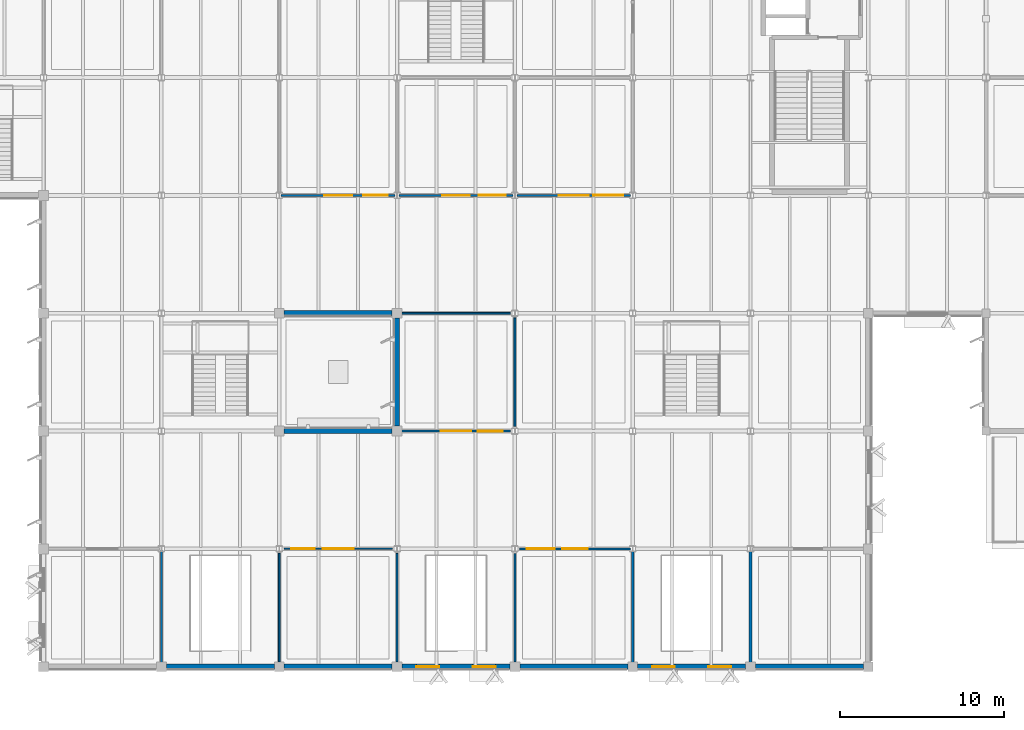
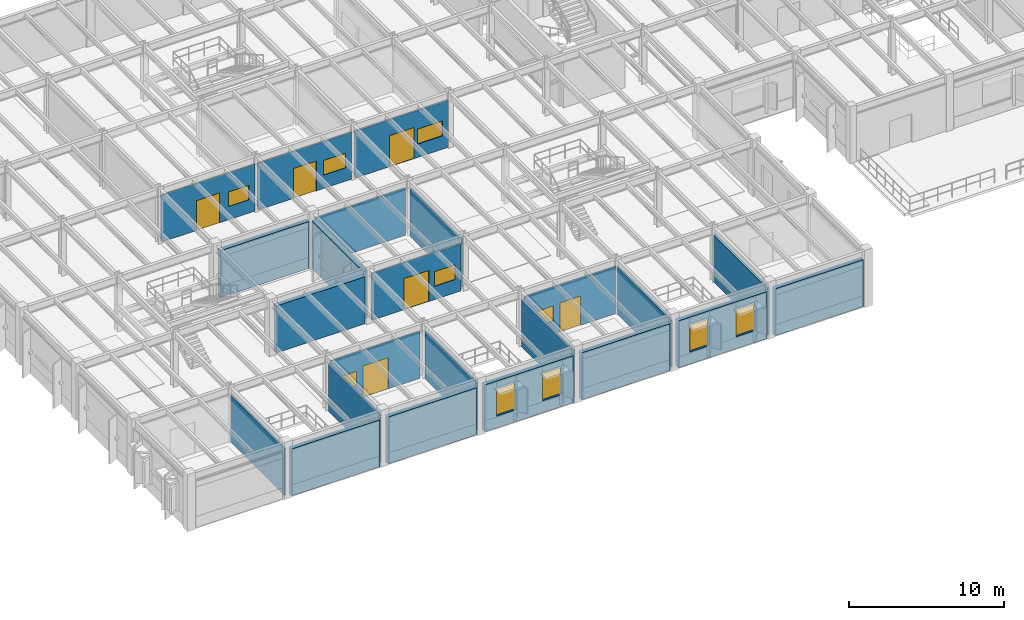
# One storey, part 35 of 92: 23 walls, 10 windows, 6 doors, 16 openings.
"""IFC4 building model written with IfcOpenShell, lengths in metres."""

import ifcopenshell
import ifcopenshell.guid

model = None  # the IFC model being written
_history = None  # IfcOwnerHistory: only IFC2X3 demands one
_inside = {}  # id of a spatial element -> (the spatial element, [elements in it])
_under = {}  # id of a project, library or spatial element -> (it, [spatial elements below it])
_declared = {}  # id of a project -> (the project, [libraries it declares])
_typed = {}  # id of a type object -> (the type object, [elements of that type])
_made_of = {}  # id of a material, layer set ... -> (it, [elements and type objects made of it])


def new_model(schema):
    """Start an empty IFC model of exactly this schema.

    Asked for "IFC4X3", IfcOpenShell would pick the latest addendum, in which some entities
    have other attributes; the version numbers below select the first issue.
    IFC2X3 requires an IfcOwnerHistory on every rooted entity: one is made here for all.
    """
    global model, _history
    if schema == "IFC4X3":
        model = ifcopenshell.file(schema_version=(4, 3, 0, 0))
    else:
        model = ifcopenshell.file(schema=schema)
    _inside.clear()
    _under.clear()
    _declared.clear()
    _typed.clear()
    _made_of.clear()
    _history = None
    if model.schema == "IFC2X3":
        org = make("IfcOrganization", Name="unknown")
        user = make(
            "IfcPersonAndOrganization",
            ThePerson=make("IfcPerson", FamilyName="unknown"),
            TheOrganization=org,
        )
        app = make(
            "IfcApplication",
            ApplicationDeveloper=org,
            Version="unknown",
            ApplicationFullName="unknown",
            ApplicationIdentifier="unknown",
        )
        _history = make(
            "IfcOwnerHistory",
            OwningUser=user,
            OwningApplication=app,
            ChangeAction="ADDED",
            CreationDate=0,
        )
    return model


def make(cls, **values):
    """One entity of the class cls with the attributes given. An attribute that is None is left unset."""
    return model.create_entity(
        cls, **{name: value for name, value in values.items() if value is not None}
    )


def rooted(cls, **values):
    """An entity with a GlobalId (a new one), such as an element, a storey or a relation."""
    return make(cls, GlobalId=ifcopenshell.guid.new(), OwnerHistory=_history, **values)


def si_unit(unit_type, name, prefix=None):
    """IfcSIUnit, for example si_unit("LENGTHUNIT", "METRE", prefix="MILLI")."""
    return make("IfcSIUnit", UnitType=unit_type, Prefix=prefix, Name=name)


def assignment(units):
    """IfcUnitAssignment: the units of a project."""
    return None if units is None else make("IfcUnitAssignment", Units=units)


def point(xyz):
    """IfcCartesianPoint."""
    return None if xyz is None else make("IfcCartesianPoint", Coordinates=xyz)


def direction(xyz):
    """IfcDirection."""
    return None if xyz is None else make("IfcDirection", DirectionRatios=xyz)


def frame(location, z_axis=None, x_axis=None):
    """IfcAxis2Placement3D, a coordinate frame: its origin and axes. An axis left out is left unset."""
    return make(
        "IfcAxis2Placement3D",
        Location=point(location),
        Axis=direction(z_axis),
        RefDirection=direction(x_axis),
    )


def frame_2d(location, x_axis=None):
    """IfcAxis2Placement2D, a coordinate frame in the plane: its origin and x axis."""
    return make(
        "IfcAxis2Placement2D", Location=point(location), RefDirection=direction(x_axis)
    )


def origin():
    """The frame at (0, 0, 0) with its axes left unset."""
    return frame((0.0, 0.0, 0.0))


def place(relative_to, where):
    """IfcLocalPlacement: puts the frame where relative to a parent placement (None: the world)."""
    return make(
        "IfcLocalPlacement", PlacementRelTo=relative_to, RelativePlacement=where
    )


def context(
    kind, dimensions, precision=None, world=None, true_north=None, identifier=None
):
    """IfcGeometricRepresentationContext, for example the 3D "Model" context."""
    return make(
        "IfcGeometricRepresentationContext",
        ContextIdentifier=identifier,
        ContextType=kind,
        CoordinateSpaceDimension=dimensions,
        Precision=precision,
        WorldCoordinateSystem=world,
        TrueNorth=true_north,
    )


def subcontext(parent, identifier, kind, view, scale=None):
    """IfcGeometricRepresentationSubContext, for example "Body" below "Model"."""
    return make(
        "IfcGeometricRepresentationSubContext",
        ContextIdentifier=identifier,
        ContextType=kind,
        ParentContext=parent,
        TargetScale=scale,
        TargetView=view,
    )


def project(units=None, contexts=None):
    """IfcProject with its units and contexts."""
    return rooted(
        "IfcProject",
        Name="project",
        RepresentationContexts=contexts,
        UnitsInContext=assignment(units),
    )


def spatial(cls, under=None, at=None, **own):
    """A site, building, storey or space (cls), placed at a placement, below another one or the project."""
    s = rooted(cls, ObjectPlacement=at, **own)
    if under is not None:
        _under.setdefault(under.id(), (under, []))[1].append(s)
    return s


def profile(cls, at=None, kind="AREA", **sizes):
    """A parametric profile (cls). Its sizes go by their IFC names, for example OverallWidth=200.0."""
    return make(cls, ProfileType=kind, Position=at, **sizes)


def rectangle(**sizes):
    """IfcRectangleProfileDef."""
    return profile("IfcRectangleProfileDef", **sizes)


def extrude(swept, where, along, depth):
    """IfcExtrudedAreaSolid: the profile swept, set in the frame where, extruded along a direction by depth."""
    return make(
        "IfcExtrudedAreaSolid",
        SweptArea=swept,
        Position=where,
        ExtrudedDirection=direction(along),
        Depth=depth,
    )


def shape(context_of_items, identifier, shape_type, items):
    """IfcShapeRepresentation: the items that make up one representation, for example the "Body"."""
    return make(
        "IfcShapeRepresentation",
        ContextOfItems=context_of_items,
        RepresentationIdentifier=identifier,
        RepresentationType=shape_type,
        Items=items,
    )


def material(Name=None, Category=None):
    """IfcMaterial."""
    return make("IfcMaterial", Name=Name, Category=Category)


def layer(
    of_material, thickness, ventilated=None, Name=None, Category=None, Priority=None
):
    """IfcMaterialLayer: one layer of a wall or slab, of a material (None: an air gap)."""
    return make(
        "IfcMaterialLayer",
        Material=of_material,
        LayerThickness=thickness,
        IsVentilated=ventilated,
        Name=Name,
        Category=Category,
        Priority=Priority,
    )


def layer_set(layers, Name=None):
    """IfcMaterialLayerSet."""
    return make("IfcMaterialLayerSet", MaterialLayers=layers, LayerSetName=Name)


def made_of(thing, what):
    """Note that an element or type object is made of a material, layer set ...; save() writes the relation."""
    if what is not None:
        _made_of.setdefault(what.id(), (what, []))[1].append(thing)
    return thing


def type_object(cls, material=None, **own):
    """A type object (cls), such as IfcWallType, which elements share."""
    return made_of(rooted(cls, **own), material)


def element(
    cls,
    number,
    at=None,
    inside=None,
    cuts=None,
    type_object=None,
    material=None,
    context=None,
    identifier="Body",
    shape_type=None,
    held_by="IfcProductDefinitionShape",
    body=None,
    shapes=None,
    **own,
):
    """One element of the class cls, such as IfcWall. Its Tag is "e" and its number.

    at: its placement. inside: the storey or other place that contains it. cuts: it is an
    opening in that element (IfcRelVoidsElement). A single representation is given by context,
    identifier, shape_type and body (its items); several are given by shapes. held_by: the class
    of the entity that holds the representations. save() writes the other relations.
    """
    e = rooted(cls, Tag="e%d" % number, ObjectPlacement=at, **own)
    if body is not None:
        shapes = [shape(context, identifier, shape_type, body)]
    if shapes is not None:
        e.Representation = make(held_by, Representations=shapes)
    if inside is not None:
        _inside.setdefault(inside.id(), (inside, []))[1].append(e)
    if cuts is not None:
        rooted(
            "IfcRelVoidsElement", RelatingBuildingElement=cuts, RelatedOpeningElement=e
        )
    if type_object is not None:
        _typed.setdefault(type_object.id(), (type_object, []))[1].append(e)
    return made_of(e, material)


def fill(opening, filler):
    """IfcRelFillsElement: the door or window that sits in an opening."""
    return rooted(
        "IfcRelFillsElement",
        RelatingOpeningElement=opening,
        RelatedBuildingElement=filler,
    )


def aggregate(whole, parts):
    """IfcRelAggregates: a whole, such as a stair, and the parts it consists of."""
    return rooted("IfcRelAggregates", RelatingObject=whole, RelatedObjects=parts)


def save(model, path):
    """Write the relations noted so far, then the file.

    IfcRelAggregates (storeys below a building ...), IfcRelContainedInSpatialStructure (elements
    in a storey), IfcRelDefinesByType, IfcRelAssociatesMaterial and IfcRelDeclares: one each for
    every whole, place, type object, material and project.
    """
    for whole, parts in _under.values():
        aggregate(whole, parts)
    for where, things in _inside.values():
        rooted(
            "IfcRelContainedInSpatialStructure",
            RelatedElements=things,
            RelatingStructure=where,
        )
    for kind, things in _typed.values():
        rooted("IfcRelDefinesByType", RelatedObjects=things, RelatingType=kind)
    for what, things in _made_of.values():
        rooted("IfcRelAssociatesMaterial", RelatedObjects=things, RelatingMaterial=what)
    for by, libraries in _declared.values():
        rooted("IfcRelDeclares", RelatingContext=by, RelatedDefinitions=libraries)
    model.write(path)


model = new_model("IFC4")

# Units and contexts
model_context = context("Model", 3, precision=1e-05, world=origin(), true_north=direction((0.0, 1.0)))
body_context = subcontext(model_context, "Body", "Model", "MODEL_VIEW")
ifc_project = project(units=[si_unit("LENGTHUNIT", "METRE"), si_unit("AREAUNIT", "SQUARE_METRE"), si_unit("VOLUMEUNIT", "CUBIC_METRE"), si_unit("PLANEANGLEUNIT", "RADIAN"), si_unit("MASSUNIT", "GRAM", prefix="KILO")], contexts=[model_context])

# Site, building, storey
site_placement = place(None, origin())
site = spatial("IfcSite", under=ifc_project, at=site_placement, CompositionType="ELEMENT")
building_placement = place(site_placement, origin())
building = spatial("IfcBuilding", under=site, at=building_placement, Name="Sillqori Civic Hall", CompositionType="ELEMENT")
storey_placement = place(building_placement, frame((0.0, 0.0, 5.39990234375)))
storey = spatial("IfcBuildingStorey", under=building, at=storey_placement, Name="L02", CompositionType="ELEMENT", Elevation=5.39990234375)

# Walls
ifc_material_1 = material(Name="Precast concrete C40/50 (H40)", Category="concrete")
ifc_layer_1 = layer(ifc_material_1, 0.320068359375)
ifc_layer_set_1 = layer_set([ifc_layer_1], Name="Precast concrete C40/50 (H40)")
wall_type_1 = type_object("IfcWallType", Name="EW-LIME-320", PredefinedType="SOLIDWALL", material=ifc_layer_set_1)
wall_1_placement = place(storey_placement, frame((78.89990234375, 7.199951171875, 0.0), z_axis=(0.0, 0.0, 1.0), x_axis=(-1.0, 0.0, 0.0)))
element("IfcWall", 1, at=wall_1_placement, inside=storey, type_object=wall_type_1, Name="L02 V2 exterior wall L02-10-01-S", PredefinedType="SOLIDWALL", context=body_context, shape_type="SweptSolid", body=[
    extrude(rectangle(XDim=6.599853515625, YDim=0.320068359375, at=frame_2d((3.2998046875, 0.0))), origin(), (0.0, 0.0, 1.0), 3.697998046875),
])
for number, where, z_axis, x_axis, name in (
    (2, (86.10009765625, 7.199951171875, 0.0), (0.0, 0.0, 1.0), (-1.0, 0.0, 0.0), "L02 V2 exterior wall L02-11-01-S"),
    (3, (79.5, 21.60009765625, 0.0), (0.0, 0.0, 1.0), (1.0, 0.0, 0.0), "L02 V2 exterior wall L02-11-02-N"),
    (4, (86.10009765625, 28.800048828125, 0.0), (0.0, 0.0, 1.0), (-1.0, 0.0, 0.0), "L02 V2 exterior wall L02-11-04-S"),
):
    element("IfcWall", number, at=place(storey_placement, frame(where, z_axis=z_axis, x_axis=x_axis)), inside=storey, type_object=wall_type_1, Name=name, PredefinedType="SOLIDWALL", context=body_context, shape_type="SweptSolid", body=[
        extrude(rectangle(XDim=6.60009765625, YDim=0.320068359375, at=frame_2d((3.300048828125, 0.0))), origin(), (0.0, 0.0, 1.0), 3.697998046875),
    ])

# Wall, openings, windows
wall_2_placement = place(storey_placement, frame((93.300048828125, 7.199951171875, 0.0), z_axis=(0.0, 0.0, 1.0), x_axis=(-1.0, 0.0, 0.0)))
wall_2 = element("IfcWall", 5, at=wall_2_placement, inside=storey, type_object=wall_type_1, Name="L02 V2 exterior wall L02-12-01-S", PredefinedType="SOLIDWALL", context=body_context, shape_type="SweptSolid", body=[
    extrude(rectangle(XDim=6.60009765625, YDim=0.320068359375, at=frame_2d((3.300048828125, 0.0))), origin(), (0.0, 0.0, 1.0), 3.697998046875),
])
opening_1_placement = place(wall_2_placement, frame((0.884033203125, 0.0, 0.949951171875)))
opening_1 = element("IfcOpeningElement", 6, at=opening_1_placement, cuts=wall_2, Name="Opening W-03", PredefinedType="OPENING", context=body_context, shape_type="SweptSolid", body=[
    extrude(rectangle(XDim=1.39990234375, YDim=2.10009765625, at=frame_2d((0.699951171875, 1.050048828125))), frame((0.0, 0.169921875, 0.0), z_axis=(0.0, -1.0, 0.0), x_axis=(1.0, 0.0, 0.0)), (0.0, 0.0, 1.0), 0.340087890625),
])
opening_2_placement = place(wall_2_placement, frame((4.31591796875, 0.0, 0.949951171875)))
opening_2 = element("IfcOpeningElement", 7, at=opening_2_placement, cuts=wall_2, Name="Opening W-03", PredefinedType="OPENING", context=body_context, shape_type="SweptSolid", body=[
    extrude(rectangle(XDim=1.39990234375, YDim=2.10009765625, at=frame_2d((0.699951171875, 1.050048828125))), frame((0.0, 0.169921875, 0.0), z_axis=(0.0, -1.0, 0.0), x_axis=(1.0, 0.0, 0.0)), (0.0, 0.0, 1.0), 0.340087890625),
])
ifc_material_2 = material(Name="Thermally Broken Aluminium Low-E Window", Category="aluminium")
window_type_1 = type_object("IfcWindowType", Name="WIN-V2-140X210", PartitioningType="SINGLE_PANEL", PredefinedType="WINDOW", material=ifc_material_2)
window_1_placement = place(opening_1_placement, origin())
window_1 = element("IfcWindow", 8, at=window_1_placement, inside=storey, type_object=window_type_1, Name="L02 V2 window L02-12-01-S.1", OverallHeight=2.10009765625, OverallWidth=1.39990234375, PartitioningType="SINGLE_PANEL", PredefinedType="WINDOW", context=body_context, shape_type="SweptSolid", body=[
    extrude(rectangle(XDim=1.39990234375, YDim=2.10009765625, at=frame_2d((0.699951171875, 1.050048828125))), frame((0.0, 0.030029296875, 0.0), z_axis=(0.0, -1.0, 0.0), x_axis=(1.0, 0.0, 0.0)), (0.0, 0.0, 1.0), 0.06005859375),
])
fill(opening_1, window_1)
window_2_placement = place(opening_2_placement, origin())
window_2 = element("IfcWindow", 9, at=window_2_placement, inside=storey, type_object=window_type_1, Name="L02 V2 window L02-12-01-S.2", OverallHeight=2.10009765625, OverallWidth=1.39990234375, PartitioningType="SINGLE_PANEL", PredefinedType="WINDOW", context=body_context, shape_type="SweptSolid", body=[
    extrude(rectangle(XDim=1.39990234375, YDim=2.10009765625, at=frame_2d((0.699951171875, 1.050048828125))), frame((0.0, 0.030029296875, 0.0), z_axis=(0.0, -1.0, 0.0), x_axis=(1.0, 0.0, 0.0)), (0.0, 0.0, 1.0), 0.06005859375),
])
fill(opening_2, window_2)

# Walls
wall_3_placement = place(storey_placement, frame((86.39990234375, 21.89990234375, 0.0), z_axis=(0.0, 0.0, 1.0), x_axis=(0.0, 1.0, 0.0)))
element("IfcWall", 10, at=wall_3_placement, inside=storey, type_object=wall_type_1, Name="L02 V2 exterior wall L02-12-03-W", PredefinedType="SOLIDWALL", context=body_context, shape_type="SweptSolid", body=[
    extrude(rectangle(XDim=6.60009765625, YDim=0.320068359375, at=frame_2d((3.300048828125, 0.0))), origin(), (0.0, 0.0, 1.0), 3.76708984375),
])
wall_4_placement = place(storey_placement, frame((100.5, 7.199951171875, 0.0), z_axis=(0.0, 0.0, 1.0), x_axis=(-1.0, 0.0, 0.0)))
element("IfcWall", 11, at=wall_4_placement, inside=storey, type_object=wall_type_1, Name="L02 V2 exterior wall L02-13-01-S", PredefinedType="SOLIDWALL", context=body_context, shape_type="SweptSolid", body=[
    extrude(rectangle(XDim=6.60009765625, YDim=0.320068359375, at=frame_2d((3.300048828125, 0.0))), origin(), (0.0, 0.0, 1.0), 3.697998046875),
])

# Wall, openings, windows
wall_5_placement = place(storey_placement, frame((107.699951171875, 7.199951171875, 0.0), z_axis=(0.0, 0.0, 1.0), x_axis=(-1.0, 0.0, 0.0)))
wall_5 = element("IfcWall", 12, at=wall_5_placement, inside=storey, type_object=wall_type_1, Name="L02 V2 exterior wall L02-14-01-S", PredefinedType="SOLIDWALL", context=body_context, shape_type="SweptSolid", body=[
    extrude(rectangle(XDim=6.599853515625, YDim=0.320068359375, at=frame_2d((3.2998046875, 0.0))), origin(), (0.0, 0.0, 1.0), 3.697998046875),
])
opening_3_placement = place(wall_5_placement, frame((0.884033203125, 0.0, 0.949951171875)))
opening_3 = element("IfcOpeningElement", 13, at=opening_3_placement, cuts=wall_5, Name="Opening W-03", PredefinedType="OPENING", context=body_context, shape_type="SweptSolid", body=[
    extrude(rectangle(XDim=1.39990234375, YDim=2.10009765625, at=frame_2d((0.699951171875, 1.050048828125))), frame((0.0, 0.169921875, 0.0), z_axis=(0.0, -1.0, 0.0), x_axis=(1.0, 0.0, 0.0)), (0.0, 0.0, 1.0), 0.340087890625),
])
opening_4_placement = place(wall_5_placement, frame((4.31591796875, 0.0, 0.949951171875)))
opening_4 = element("IfcOpeningElement", 14, at=opening_4_placement, cuts=wall_5, Name="Opening W-03", PredefinedType="OPENING", context=body_context, shape_type="SweptSolid", body=[
    extrude(rectangle(XDim=1.39990234375, YDim=2.10009765625, at=frame_2d((0.699951171875, 1.050048828125))), frame((0.0, 0.169921875, 0.0), z_axis=(0.0, -1.0, 0.0), x_axis=(1.0, 0.0, 0.0)), (0.0, 0.0, 1.0), 0.340087890625),
])
window_3_placement = place(opening_3_placement, origin())
window_3 = element("IfcWindow", 15, at=window_3_placement, inside=storey, type_object=window_type_1, Name="L02 V2 window L02-14-01-S.1", OverallHeight=2.10009765625, OverallWidth=1.39990234375, PartitioningType="SINGLE_PANEL", PredefinedType="WINDOW", context=body_context, shape_type="SweptSolid", body=[
    extrude(rectangle(XDim=1.39990234375, YDim=2.10009765625, at=frame_2d((0.699951171875, 1.050048828125))), frame((0.0, 0.030029296875, 0.0), z_axis=(0.0, -1.0, 0.0), x_axis=(1.0, 0.0, 0.0)), (0.0, 0.0, 1.0), 0.06005859375),
])
fill(opening_3, window_3)
window_4_placement = place(opening_4_placement, origin())
window_4 = element("IfcWindow", 16, at=window_4_placement, inside=storey, type_object=window_type_1, Name="L02 V2 window L02-14-01-S.2", OverallHeight=2.10009765625, OverallWidth=1.39990234375, PartitioningType="SINGLE_PANEL", PredefinedType="WINDOW", context=body_context, shape_type="SweptSolid", body=[
    extrude(rectangle(XDim=1.39990234375, YDim=2.10009765625, at=frame_2d((0.699951171875, 1.050048828125))), frame((0.0, 0.030029296875, 0.0), z_axis=(0.0, -1.0, 0.0), x_axis=(1.0, 0.0, 0.0)), (0.0, 0.0, 1.0), 0.06005859375),
])
fill(opening_4, window_4)

# Walls
wall_6_placement = place(storey_placement, frame((114.89990234375, 7.199951171875, 0.0), z_axis=(0.0, 0.0, 1.0), x_axis=(-1.0, 0.0, 0.0)))
element("IfcWall", 17, at=wall_6_placement, inside=storey, type_object=wall_type_1, Name="L02 V2 exterior wall L02-15-01-S", PredefinedType="SOLIDWALL", context=body_context, shape_type="SweptSolid", body=[
    extrude(rectangle(XDim=6.599853515625, YDim=0.320068359375, at=frame_2d((3.2998046875, 0.0))), origin(), (0.0, 0.0, 1.0), 3.697998046875),
])
ifc_material_3 = material(Name="Framed Acoustic Glazed Office Screen 106", Category="glass")
ifc_layer_2 = layer(ifc_material_3, 0.10595703125)
ifc_layer_set_2 = layer_set([ifc_layer_2], Name="Framed Acoustic Glazed Office Screen 106")
wall_type_2 = type_object("IfcWallType", Name="PT-GLZ-106", PredefinedType="PARTITIONING", material=ifc_layer_set_2)
wall_7_placement = place(storey_placement, frame((72.0, 14.280029296875, 0.0), z_axis=(0.0, 0.0, 1.0), x_axis=(0.0, -1.0, 0.0)))
element("IfcWall", 18, at=wall_7_placement, inside=storey, type_object=wall_type_2, Name="Citizens Tax and Property Assessment Suite partition E2", PredefinedType="PARTITIONING", context=body_context, shape_type="SweptSolid", body=[
    extrude(rectangle(XDim=6.9599609375, YDim=0.10595703125, at=frame_2d((3.47998046875, 0.0))), origin(), (0.0, 0.0, 1.0), 3.68798828125),
])

# Wall, openings, door, window
ifc_material_4 = material(Name="Acoustic Steel-Stud Partition 104", Category="steel")
ifc_layer_3 = layer(ifc_material_4, 0.10400390625)
ifc_layer_set_3 = layer_set([ifc_layer_3], Name="Acoustic Steel-Stud Partition 104")
wall_type_3 = type_object("IfcWallType", Name="PT-GYP-104", PredefinedType="PARTITIONING", material=ifc_layer_set_3)
wall_8_placement = place(storey_placement, frame((79.47998046875, 14.39990234375, 0.0), z_axis=(0.0, 0.0, 1.0), x_axis=(1.0, 0.0, 0.0)))
wall_8 = element("IfcWall", 19, at=wall_8_placement, inside=storey, type_object=wall_type_3, Name="Atrium Exhibition Mezzanine Gallery partition N1", PredefinedType="PARTITIONING", context=body_context, shape_type="SweptSolid", body=[
    extrude(rectangle(XDim=6.64013671875, YDim=0.10400390625, at=frame_2d((3.320068359375, 0.0))), origin(), (0.0, 0.0, 1.0), 3.68798828125),
])
opening_5_placement = place(wall_8_placement, frame((2.3701171875, 0.0, 0.0)))
opening_5 = element("IfcOpeningElement", 20, at=opening_5_placement, cuts=wall_8, Name="Opening ID-11", PredefinedType="OPENING", context=body_context, shape_type="SweptSolid", body=[
    extrude(rectangle(XDim=1.89990234375, YDim=2.449951171875, at=frame_2d((0.949951171875, 1.22509765625))), frame((0.0, 0.06201171875, 0.0), z_axis=(0.0, -1.0, 0.0), x_axis=(1.0, 0.0, 0.0)), (0.0, 0.0, 1.0), 0.1240234375),
])
opening_6_placement = place(wall_8_placement, frame((0.449951171875, 0.0, 1.050048828125)))
opening_6 = element("IfcOpeningElement", 21, at=opening_6_placement, cuts=wall_8, Name="Opening IW-09", PredefinedType="OPENING", context=body_context, shape_type="SweptSolid", body=[
    extrude(rectangle(XDim=1.449951171875, YDim=1.14990234375, at=frame_2d((0.72509765625, 0.574951171875))), frame((0.0, 0.06201171875, 0.0), z_axis=(0.0, -1.0, 0.0), x_axis=(1.0, 0.0, 0.0)), (0.0, 0.0, 1.0), 0.1240234375),
])
ifc_material_5 = material(Name="Exhibition Gallery Portal Door", Category="aluminium")
door_type_1 = type_object("IfcDoorType", Name="IDR-EXH-190X245", OperationType="NOTDEFINED", PredefinedType="DOOR", material=ifc_material_5)
door_1_placement = place(opening_5_placement, origin())
door_1 = element("IfcDoor", 22, at=door_1_placement, inside=storey, type_object=door_type_1, Name="Atrium Exhibition Mezzanine Gallery entrance door", OperationType="DOUBLE_DOOR_SINGLE_SWING", OverallHeight=2.449951171875, OverallWidth=1.89990234375, PredefinedType="DOOR", context=body_context, shape_type="SweptSolid", body=[
    extrude(rectangle(XDim=1.89990234375, YDim=2.449951171875, at=frame_2d((0.949951171875, 1.22509765625))), frame((0.0, 0.02490234375, 0.0), z_axis=(0.0, -1.0, 0.0), x_axis=(1.0, 0.0, 0.0)), (0.0, 0.0, 1.0), 0.050048828125),
])
fill(opening_5, door_1)
ifc_material_6 = material(Name="Acoustic Laminated Interior Clerestory Glazing", Category="glass")
window_type_2 = type_object("IfcWindowType", Name="IWN-STU-145X115", PartitioningType="SINGLE_PANEL", PredefinedType="WINDOW", material=ifc_material_6)
window_5_placement = place(opening_6_placement, origin())
window_5 = element("IfcWindow", 23, at=window_5_placement, inside=storey, type_object=window_type_2, Name="Atrium Exhibition Mezzanine Gallery borrowed-light screen", OverallHeight=1.14990234375, OverallWidth=1.449951171875, PartitioningType="SINGLE_PANEL", PredefinedType="WINDOW", context=body_context, shape_type="SweptSolid", body=[
    extrude(rectangle(XDim=1.449951171875, YDim=1.14990234375, at=frame_2d((0.72509765625, 0.574951171875))), frame((0.0, 0.030029296875, 0.0), z_axis=(0.0, -1.0, 0.0), x_axis=(1.0, 0.0, 0.0)), (0.0, 0.0, 1.0), 0.06005859375),
])
fill(opening_6, window_5)

# Walls
for number, where, z_axis, x_axis, name in (
    (24, (79.199951171875, 7.47998046875, 0.0), (0.0, 0.0, 1.0), (0.0, 1.0, 0.0), "Atrium Exhibition Mezzanine Gallery partition W2"),
    (25, (86.39990234375, 14.1201171875, 0.0), (0.0, 0.0, 1.0), (0.0, -1.0, 0.0), "Atrium Exhibition Mezzanine Gallery partition E3"),
):
    element("IfcWall", number, at=place(storey_placement, frame(where, z_axis=z_axis, x_axis=x_axis)), inside=storey, type_object=wall_type_3, Name=name, PredefinedType="PARTITIONING", context=body_context, shape_type="SweptSolid", body=[
        extrude(rectangle(XDim=6.64013671875, YDim=0.10400390625, at=frame_2d((3.320068359375, 0.0))), origin(), (0.0, 0.0, 1.0), 3.757080078125),
    ])

# Wall, openings, door, window
ifc_material_7 = material(Name="Acoustic Steel-Stud Partition 108", Category="steel")
ifc_layer_4 = layer(ifc_material_7, 0.10791015625)
ifc_layer_set_4 = layer_set([ifc_layer_4], Name="Acoustic Steel-Stud Partition 108")
wall_type_4 = type_object("IfcWallType", Name="PT-GYP-108", PredefinedType="PARTITIONING", material=ifc_layer_set_4)
wall_9_placement = place(storey_placement, frame((86.280029296875, 36.0, 0.0), z_axis=(0.0, 0.0, 1.0), x_axis=(-1.0, 0.0, 0.0)))
wall_9 = element("IfcWall", 26, at=wall_9_placement, inside=storey, type_object=wall_type_4, Name="Public Notary and Apostille Verification Room partition S1", PredefinedType="PARTITIONING", context=body_context, shape_type="SweptSolid", body=[
    extrude(rectangle(XDim=6.9599609375, YDim=0.10791015625, at=frame_2d((3.47998046875, 0.0))), origin(), (0.0, 0.0, 1.0), 3.68798828125),
])
opening_7_placement = place(wall_9_placement, frame((2.6298828125, 0.0, 0.0)))
opening_7 = element("IfcOpeningElement", 27, at=opening_7_placement, cuts=wall_9, Name="Opening ID-06", PredefinedType="OPENING", context=body_context, shape_type="SweptSolid", body=[
    extrude(rectangle(XDim=1.699951171875, YDim=2.35009765625, at=frame_2d((0.85009765625, 1.175048828125))), frame((0.0, 0.06396484375, 0.0), z_axis=(0.0, -1.0, 0.0), x_axis=(1.0, 0.0, 0.0)), (0.0, 0.0, 1.0), 0.1279296875),
])
opening_8_placement = place(wall_9_placement, frame((0.449951171875, 0.0, 1.050048828125)))
opening_8 = element("IfcOpeningElement", 28, at=opening_8_placement, cuts=wall_9, Name="Opening IW-10", PredefinedType="OPENING", context=body_context, shape_type="SweptSolid", body=[
    extrude(rectangle(XDim=1.5, YDim=1.14990234375, at=frame_2d((0.75, 0.574951171875))), frame((0.0, 0.06396484375, 0.0), z_axis=(0.0, -1.0, 0.0), x_axis=(1.0, 0.0, 0.0)), (0.0, 0.0, 1.0), 0.1279296875),
])
ifc_material_8 = material(Name="Revenue Hall Glazed Double Door", Category="aluminium")
door_type_2 = type_object("IfcDoorType", Name="IDR-CSC-170X235", OperationType="NOTDEFINED", PredefinedType="DOOR", material=ifc_material_8)
door_2_placement = place(opening_7_placement, origin())
door_2 = element("IfcDoor", 29, at=door_2_placement, inside=storey, type_object=door_type_2, Name="Public Notary and Apostille Verification Room entrance door", OperationType="DOUBLE_DOOR_SINGLE_SWING", OverallHeight=2.35009765625, OverallWidth=1.699951171875, PredefinedType="DOOR", context=body_context, shape_type="SweptSolid", body=[
    extrude(rectangle(XDim=1.699951171875, YDim=2.35009765625, at=frame_2d((0.85009765625, 1.175048828125))), frame((0.0, 0.02490234375, 0.0), z_axis=(0.0, -1.0, 0.0), x_axis=(1.0, 0.0, 0.0)), (0.0, 0.0, 1.0), 0.050048828125),
])
fill(opening_7, door_2)
window_type_3 = type_object("IfcWindowType", Name="IWN-STU-150X115", PartitioningType="SINGLE_PANEL", PredefinedType="WINDOW", material=ifc_material_6)
window_6_placement = place(opening_8_placement, origin())
window_6 = element("IfcWindow", 30, at=window_6_placement, inside=storey, type_object=window_type_3, Name="Public Notary and Apostille Verification Room borrowed-light screen", OverallHeight=1.14990234375, OverallWidth=1.5, PartitioningType="SINGLE_PANEL", PredefinedType="WINDOW", context=body_context, shape_type="SweptSolid", body=[
    extrude(rectangle(XDim=1.5, YDim=1.14990234375, at=frame_2d((0.75, 0.574951171875))), frame((0.0, 0.030029296875, 0.0), z_axis=(0.0, -1.0, 0.0), x_axis=(1.0, 0.0, 0.0)), (0.0, 0.0, 1.0), 0.06005859375),
])
fill(opening_8, window_6)

ifc_material_9 = material(Name="Acoustic Steel-Stud Partition 116", Category="steel")
ifc_layer_5 = layer(ifc_material_9, 0.115966796875)
ifc_layer_set_5 = layer_set([ifc_layer_5], Name="Acoustic Steel-Stud Partition 116")
wall_type_5 = type_object("IfcWallType", Name="PT-GYP-116", PredefinedType="PARTITIONING", material=ifc_layer_set_5)
wall_10_placement = place(storey_placement, frame((93.320068359375, 21.60009765625, 0.0), z_axis=(0.0, 0.0, 1.0), x_axis=(-1.0, 0.0, 0.0)))
wall_10 = element("IfcWall", 31, at=wall_10_placement, inside=storey, type_object=wall_type_5, Name="Citizens Tax and Property Assessment Suite L02-06 partition S1", PredefinedType="PARTITIONING", context=body_context, shape_type="SweptSolid", body=[
    extrude(rectangle(XDim=6.64013671875, YDim=0.115966796875, at=frame_2d((3.320068359375, 0.0))), origin(), (0.0, 0.0, 1.0), 3.68798828125),
])
opening_9_placement = place(wall_10_placement, frame((2.39501953125, 0.0, 0.0)))
opening_9 = element("IfcOpeningElement", 32, at=opening_9_placement, cuts=wall_10, Name="Opening ID-05", PredefinedType="OPENING", context=body_context, shape_type="SweptSolid", body=[
    extrude(rectangle(XDim=1.85009765625, YDim=2.449951171875, at=frame_2d((0.925048828125, 1.22509765625))), frame((0.0, 0.06787109375, 0.0), z_axis=(0.0, -1.0, 0.0), x_axis=(1.0, 0.0, 0.0)), (0.0, 0.0, 1.0), 0.135986328125),
])
opening_10_placement = place(wall_10_placement, frame((0.449951171875, 0.0, 1.050048828125)))
opening_10 = element("IfcOpeningElement", 33, at=opening_10_placement, cuts=wall_10, Name="Opening IW-11", PredefinedType="OPENING", context=body_context, shape_type="SweptSolid", body=[
    extrude(rectangle(XDim=1.550048828125, YDim=1.14990234375, at=frame_2d((0.77490234375, 0.574951171875))), frame((0.0, 0.06787109375, 0.0), z_axis=(0.0, -1.0, 0.0), x_axis=(1.0, 0.0, 0.0)), (0.0, 0.0, 1.0), 0.135986328125),
])
ifc_material_10 = material(Name="Citizens Counter Glazed Double Door", Category="aluminium")
door_type_3 = type_object("IfcDoorType", Name="IDR-CSC-185X245", OperationType="NOTDEFINED", PredefinedType="DOOR", material=ifc_material_10)
door_3_placement = place(opening_9_placement, origin())
door_3 = element("IfcDoor", 34, at=door_3_placement, inside=storey, type_object=door_type_3, Name="Citizens Tax and Property Assessment Suite L02-06 entrance door", OperationType="DOUBLE_DOOR_SINGLE_SWING", OverallHeight=2.449951171875, OverallWidth=1.85009765625, PredefinedType="DOOR", context=body_context, shape_type="SweptSolid", body=[
    extrude(rectangle(XDim=1.85009765625, YDim=2.449951171875, at=frame_2d((0.925048828125, 1.22509765625))), frame((0.0, 0.02490234375, 0.0), z_axis=(0.0, -1.0, 0.0), x_axis=(1.0, 0.0, 0.0)), (0.0, 0.0, 1.0), 0.050048828125),
])
fill(opening_9, door_3)
window_type_4 = type_object("IfcWindowType", Name="IWN-STU-155X115", PartitioningType="SINGLE_PANEL", PredefinedType="WINDOW", material=ifc_material_6)
window_7_placement = place(opening_10_placement, origin())
window_7 = element("IfcWindow", 35, at=window_7_placement, inside=storey, type_object=window_type_4, Name="Citizens Tax and Property Assessment Suite L02-06 borrowed-light screen", OverallHeight=1.14990234375, OverallWidth=1.550048828125, PartitioningType="SINGLE_PANEL", PredefinedType="WINDOW", context=body_context, shape_type="SweptSolid", body=[
    extrude(rectangle(XDim=1.550048828125, YDim=1.14990234375, at=frame_2d((0.77490234375, 0.574951171875))), frame((0.0, 0.030029296875, 0.0), z_axis=(0.0, -1.0, 0.0), x_axis=(1.0, 0.0, 0.0)), (0.0, 0.0, 1.0), 0.06005859375),
])
fill(opening_10, window_7)

# Walls
wall_11_placement = place(storey_placement, frame((86.679931640625, 28.800048828125, 0.0), z_axis=(0.0, 0.0, 1.0), x_axis=(1.0, 0.0, 0.0)))
element("IfcWall", 36, at=wall_11_placement, inside=storey, type_object=wall_type_5, Name="Citizens Tax and Property Assessment Suite L02-06 partition N2", PredefinedType="PARTITIONING", context=body_context, shape_type="SweptSolid", body=[
    extrude(rectangle(XDim=6.64013671875, YDim=0.115966796875, at=frame_2d((3.320068359375, 0.0))), origin(), (0.0, 0.0, 1.0), 3.68798828125),
])
wall_12_placement = place(storey_placement, frame((93.60009765625, 28.52001953125, 0.0), z_axis=(0.0, 0.0, 1.0), x_axis=(0.0, -1.0, 0.0)))
element("IfcWall", 37, at=wall_12_placement, inside=storey, type_object=wall_type_5, Name="Citizens Tax and Property Assessment Suite L02-06 partition E3", PredefinedType="PARTITIONING", context=body_context, shape_type="SweptSolid", body=[
    extrude(rectangle(XDim=6.64013671875, YDim=0.115966796875, at=frame_2d((3.320068359375, 0.0))), origin(), (0.0, 0.0, 1.0), 3.757080078125),
])

# Wall, openings, door, window
ifc_material_11 = material(Name="Acoustic Steel-Stud Partition 120", Category="steel")
ifc_layer_6 = layer(ifc_material_11, 0.1201171875)
ifc_layer_set_6 = layer_set([ifc_layer_6], Name="Acoustic Steel-Stud Partition 120")
wall_type_6 = type_object("IfcWallType", Name="PT-GYP-120", PredefinedType="PARTITIONING", material=ifc_layer_set_6)
wall_13_placement = place(storey_placement, frame((93.47998046875, 36.0, 0.0), z_axis=(0.0, 0.0, 1.0), x_axis=(-1.0, 0.0, 0.0)))
wall_13 = element("IfcWall", 38, at=wall_13_placement, inside=storey, type_object=wall_type_6, Name="Building Permits Technical Review Counter L02-07 partition S1", PredefinedType="PARTITIONING", context=body_context, shape_type="SweptSolid", body=[
    extrude(rectangle(XDim=6.9599609375, YDim=0.1201171875, at=frame_2d((3.47998046875, 0.0))), origin(), (0.0, 0.0, 1.0), 3.68798828125),
])
opening_11_placement = place(wall_13_placement, frame((2.6298828125, 0.0, 0.0)))
opening_11 = element("IfcOpeningElement", 39, at=opening_11_placement, cuts=wall_13, Name="Opening ID-06", PredefinedType="OPENING", context=body_context, shape_type="SweptSolid", body=[
    extrude(rectangle(XDim=1.699951171875, YDim=2.35009765625, at=frame_2d((0.85009765625, 1.175048828125))), frame((0.0, 0.070068359375, 0.0), z_axis=(0.0, -1.0, 0.0), x_axis=(1.0, 0.0, 0.0)), (0.0, 0.0, 1.0), 0.14013671875),
])
opening_12_placement = place(wall_13_placement, frame((0.449951171875, 0.0, 1.050048828125)))
opening_12 = element("IfcOpeningElement", 40, at=opening_12_placement, cuts=wall_13, Name="Opening IW-12", PredefinedType="OPENING", context=body_context, shape_type="SweptSolid", body=[
    extrude(rectangle(XDim=1.64990234375, YDim=1.14990234375, at=frame_2d((0.824951171875, 0.574951171875))), frame((0.0, 0.070068359375, 0.0), z_axis=(0.0, -1.0, 0.0), x_axis=(1.0, 0.0, 0.0)), (0.0, 0.0, 1.0), 0.14013671875),
])
door_4_placement = place(opening_11_placement, origin())
door_4 = element("IfcDoor", 41, at=door_4_placement, inside=storey, type_object=door_type_2, Name="Building Permits Technical Review Counter L02-07 entrance door", OperationType="DOUBLE_DOOR_SINGLE_SWING", OverallHeight=2.35009765625, OverallWidth=1.699951171875, PredefinedType="DOOR", context=body_context, shape_type="SweptSolid", body=[
    extrude(rectangle(XDim=1.699951171875, YDim=2.35009765625, at=frame_2d((0.85009765625, 1.175048828125))), frame((0.0, 0.02490234375, 0.0), z_axis=(0.0, -1.0, 0.0), x_axis=(1.0, 0.0, 0.0)), (0.0, 0.0, 1.0), 0.050048828125),
])
fill(opening_11, door_4)
window_type_5 = type_object("IfcWindowType", Name="IWN-STU-165X115", PartitioningType="SINGLE_PANEL", PredefinedType="WINDOW", material=ifc_material_6)
window_8_placement = place(opening_12_placement, origin())
window_8 = element("IfcWindow", 42, at=window_8_placement, inside=storey, type_object=window_type_5, Name="Building Permits Technical Review Counter L02-07 borrowed-light screen", OverallHeight=1.14990234375, OverallWidth=1.64990234375, PartitioningType="SINGLE_PANEL", PredefinedType="WINDOW", context=body_context, shape_type="SweptSolid", body=[
    extrude(rectangle(XDim=1.64990234375, YDim=1.14990234375, at=frame_2d((0.824951171875, 0.574951171875))), frame((0.0, 0.030029296875, 0.0), z_axis=(0.0, -1.0, 0.0), x_axis=(1.0, 0.0, 0.0)), (0.0, 0.0, 1.0), 0.06005859375),
])
fill(opening_12, window_8)

ifc_material_12 = material(Name="Double-Board Acoustic Partition 128", Category="gypsum")
ifc_layer_7 = layer(ifc_material_12, 0.1279296875)
ifc_layer_set_7 = layer_set([ifc_layer_7], Name="Double-Board Acoustic Partition 128")
wall_type_7 = type_object("IfcWallType", Name="PT-GYP-128", PredefinedType="PARTITIONING", material=ifc_layer_set_7)
wall_14_placement = place(storey_placement, frame((93.8798828125, 14.39990234375, 0.0), z_axis=(0.0, 0.0, 1.0), x_axis=(1.0, 0.0, 0.0)))
wall_14 = element("IfcWall", 43, at=wall_14_placement, inside=storey, type_object=wall_type_7, Name="Community Mediation and Legal Aid Room L02-08 partition N1", PredefinedType="PARTITIONING", context=body_context, shape_type="SweptSolid", body=[
    extrude(rectangle(XDim=6.800048828125, YDim=0.1279296875, at=frame_2d((3.39990234375, 0.0))), origin(), (0.0, 0.0, 1.0), 3.68798828125),
])
opening_13_placement = place(wall_14_placement, frame((2.625, 0.0, 0.0)))
opening_13 = element("IfcOpeningElement", 44, at=opening_13_placement, cuts=wall_14, Name="Opening ID-08", PredefinedType="OPENING", context=body_context, shape_type="SweptSolid", body=[
    extrude(rectangle(XDim=1.550048828125, YDim=2.300048828125, at=frame_2d((0.77490234375, 1.14990234375))), frame((0.0, 0.073974609375, 0.0), z_axis=(0.0, -1.0, 0.0), x_axis=(1.0, 0.0, 0.0)), (0.0, 0.0, 1.0), 0.14794921875),
])
opening_14_placement = place(wall_14_placement, frame((0.449951171875, 0.0, 1.050048828125)))
opening_14 = element("IfcOpeningElement", 45, at=opening_14_placement, cuts=wall_14, Name="Opening IW-13", PredefinedType="OPENING", context=body_context, shape_type="SweptSolid", body=[
    extrude(rectangle(XDim=1.699951171875, YDim=1.179931640625, at=frame_2d((0.85009765625, 0.58984375))), frame((0.0, 0.073974609375, 0.0), z_axis=(0.0, -1.0, 0.0), x_axis=(1.0, 0.0, 0.0)), (0.0, 0.0, 1.0), 0.14794921875),
])
ifc_material_13 = material(Name="Community Room Double Leaf Door", Category="timber")
door_type_4 = type_object("IfcDoorType", Name="IDR-CMY-155X230", OperationType="NOTDEFINED", PredefinedType="DOOR", material=ifc_material_13)
door_5_placement = place(opening_13_placement, origin())
door_5 = element("IfcDoor", 46, at=door_5_placement, inside=storey, type_object=door_type_4, Name="Community Mediation and Legal Aid Room L02-08 entrance door", OperationType="DOUBLE_DOOR_SINGLE_SWING", OverallHeight=2.300048828125, OverallWidth=1.550048828125, PredefinedType="DOOR", context=body_context, shape_type="SweptSolid", body=[
    extrude(rectangle(XDim=1.550048828125, YDim=2.300048828125, at=frame_2d((0.77490234375, 1.14990234375))), frame((0.0, 0.02490234375, 0.0), z_axis=(0.0, -1.0, 0.0), x_axis=(1.0, 0.0, 0.0)), (0.0, 0.0, 1.0), 0.050048828125),
])
fill(opening_13, door_5)
window_type_6 = type_object("IfcWindowType", Name="IWN-STU-170X118", PartitioningType="SINGLE_PANEL", PredefinedType="WINDOW", material=ifc_material_6)
window_9_placement = place(opening_14_placement, origin())
window_9 = element("IfcWindow", 47, at=window_9_placement, inside=storey, type_object=window_type_6, Name="Community Mediation and Legal Aid Room L02-08 borrowed-light screen", OverallHeight=1.179931640625, OverallWidth=1.699951171875, PartitioningType="SINGLE_PANEL", PredefinedType="WINDOW", context=body_context, shape_type="SweptSolid", body=[
    extrude(rectangle(XDim=1.699951171875, YDim=1.179931640625, at=frame_2d((0.85009765625, 0.58984375))), frame((0.0, 0.030029296875, 0.0), z_axis=(0.0, -1.0, 0.0), x_axis=(1.0, 0.0, 0.0)), (0.0, 0.0, 1.0), 0.06005859375),
])
fill(opening_14, window_9)

# Walls
wall_15_placement = place(storey_placement, frame((93.60009765625, 7.47998046875, 0.0), z_axis=(0.0, 0.0, 1.0), x_axis=(0.0, 1.0, 0.0)))
element("IfcWall", 48, at=wall_15_placement, inside=storey, type_object=wall_type_7, Name="Community Mediation and Legal Aid Room L02-08 partition W2", PredefinedType="PARTITIONING", context=body_context, shape_type="SweptSolid", body=[
    extrude(rectangle(XDim=6.64013671875, YDim=0.1279296875, at=frame_2d((3.320068359375, 0.0))), origin(), (0.0, 0.0, 1.0), 3.757080078125),
])
wall_16_placement = place(storey_placement, frame((100.800048828125, 14.280029296875, 0.0), z_axis=(0.0, 0.0, 1.0), x_axis=(0.0, -1.0, 0.0)))
element("IfcWall", 49, at=wall_16_placement, inside=storey, type_object=wall_type_7, Name="Community Mediation and Legal Aid Room L02-08 partition E3", PredefinedType="PARTITIONING", context=body_context, shape_type="SweptSolid", body=[
    extrude(rectangle(XDim=6.9599609375, YDim=0.1279296875, at=frame_2d((3.47998046875, 0.0))), origin(), (0.0, 0.0, 1.0), 3.68798828125),
])

# Wall, openings, door, window
ifc_material_14 = material(Name="Corridor Rated Partition 142", Category="gypsum")
ifc_layer_8 = layer(ifc_material_14, 0.14208984375)
ifc_layer_set_8 = layer_set([ifc_layer_8], Name="Corridor Rated Partition 142")
wall_type_8 = type_object("IfcWallType", Name="PT-GYP-142", PredefinedType="PARTITIONING", material=ifc_layer_set_8)
wall_17_placement = place(storey_placement, frame((100.679931640625, 36.0, 0.0), z_axis=(0.0, 0.0, 1.0), x_axis=(-1.0, 0.0, 0.0)))
wall_17 = element("IfcWall", 50, at=wall_17_placement, inside=storey, type_object=wall_type_8, Name="Public Notary and Apostille Verification Room L02-10 partition S1", PredefinedType="PARTITIONING", context=body_context, shape_type="SweptSolid", body=[
    extrude(rectangle(XDim=6.9599609375, YDim=0.14208984375, at=frame_2d((3.47998046875, 0.0))), origin(), (0.0, 0.0, 1.0), 3.68798828125),
])
opening_15_placement = place(wall_17_placement, frame((2.554931640625, 0.0, 0.0)))
opening_15 = element("IfcOpeningElement", 51, at=opening_15_placement, cuts=wall_17, Name="Opening ID-05", PredefinedType="OPENING", context=body_context, shape_type="SweptSolid", body=[
    extrude(rectangle(XDim=1.85009765625, YDim=2.449951171875, at=frame_2d((0.925048828125, 1.22509765625))), frame((0.0, 0.0810546875, 0.0), z_axis=(0.0, -1.0, 0.0), x_axis=(1.0, 0.0, 0.0)), (0.0, 0.0, 1.0), 0.162109375),
])
opening_16_placement = place(wall_17_placement, frame((0.449951171875, 0.0, 1.050048828125)))
opening_16 = element("IfcOpeningElement", 52, at=opening_16_placement, cuts=wall_17, Name="Opening IW-15", PredefinedType="OPENING", context=body_context, shape_type="SweptSolid", body=[
    extrude(rectangle(XDim=1.85009765625, YDim=1.179931640625, at=frame_2d((0.925048828125, 0.58984375))), frame((0.0, 0.0810546875, 0.0), z_axis=(0.0, -1.0, 0.0), x_axis=(1.0, 0.0, 0.0)), (0.0, 0.0, 1.0), 0.162109375),
])
door_6_placement = place(opening_15_placement, origin())
door_6 = element("IfcDoor", 53, at=door_6_placement, inside=storey, type_object=door_type_3, Name="Public Notary and Apostille Verification Room L02-10 entrance door", OperationType="DOUBLE_DOOR_SINGLE_SWING", OverallHeight=2.449951171875, OverallWidth=1.85009765625, PredefinedType="DOOR", context=body_context, shape_type="SweptSolid", body=[
    extrude(rectangle(XDim=1.85009765625, YDim=2.449951171875, at=frame_2d((0.925048828125, 1.22509765625))), frame((0.0, 0.02490234375, 0.0), z_axis=(0.0, -1.0, 0.0), x_axis=(1.0, 0.0, 0.0)), (0.0, 0.0, 1.0), 0.050048828125),
])
fill(opening_15, door_6)
window_type_7 = type_object("IfcWindowType", Name="IWN-STU-185X118", PartitioningType="SINGLE_PANEL", PredefinedType="WINDOW", material=ifc_material_6)
window_10_placement = place(opening_16_placement, origin())
window_10 = element("IfcWindow", 54, at=window_10_placement, inside=storey, type_object=window_type_7, Name="Public Notary and Apostille Verification Room L02-10 borrowed-light screen", OverallHeight=1.179931640625, OverallWidth=1.85009765625, PartitioningType="SINGLE_PANEL", PredefinedType="WINDOW", context=body_context, shape_type="SweptSolid", body=[
    extrude(rectangle(XDim=1.85009765625, YDim=1.179931640625, at=frame_2d((0.925048828125, 0.58984375))), frame((0.0, 0.030029296875, 0.0), z_axis=(0.0, -1.0, 0.0), x_axis=(1.0, 0.0, 0.0)), (0.0, 0.0, 1.0), 0.06005859375),
])
fill(opening_16, window_10)

# Wall
ifc_material_15 = material(Name="Concrete C25/30 (H25)", Category="concrete")
ifc_layer_9 = layer(ifc_material_15, 0.172119140625)
ifc_layer_set_9 = layer_set([ifc_layer_9], Name="Concrete C25/30 (H25)")
wall_type_9 = type_object("IfcWallType", Name="PT-MAS-172", PredefinedType="PARTITIONING", material=ifc_layer_set_9)
wall_18_placement = place(storey_placement, frame((108.0, 7.320068359375, 0.0), z_axis=(0.0, 0.0, 1.0), x_axis=(0.0, 1.0, 0.0)))
element("IfcWall", 55, at=wall_18_placement, inside=storey, type_object=wall_type_9, Name="Building Permits Technical Review Counter L02-12 partition W2", PredefinedType="PARTITIONING", context=body_context, shape_type="SweptSolid", body=[
    extrude(rectangle(XDim=6.9599609375, YDim=0.172119140625, at=frame_2d((3.47998046875, 0.0))), origin(), (0.0, 0.0, 1.0), 3.68798828125),
])

save(model, "model.ifc")
